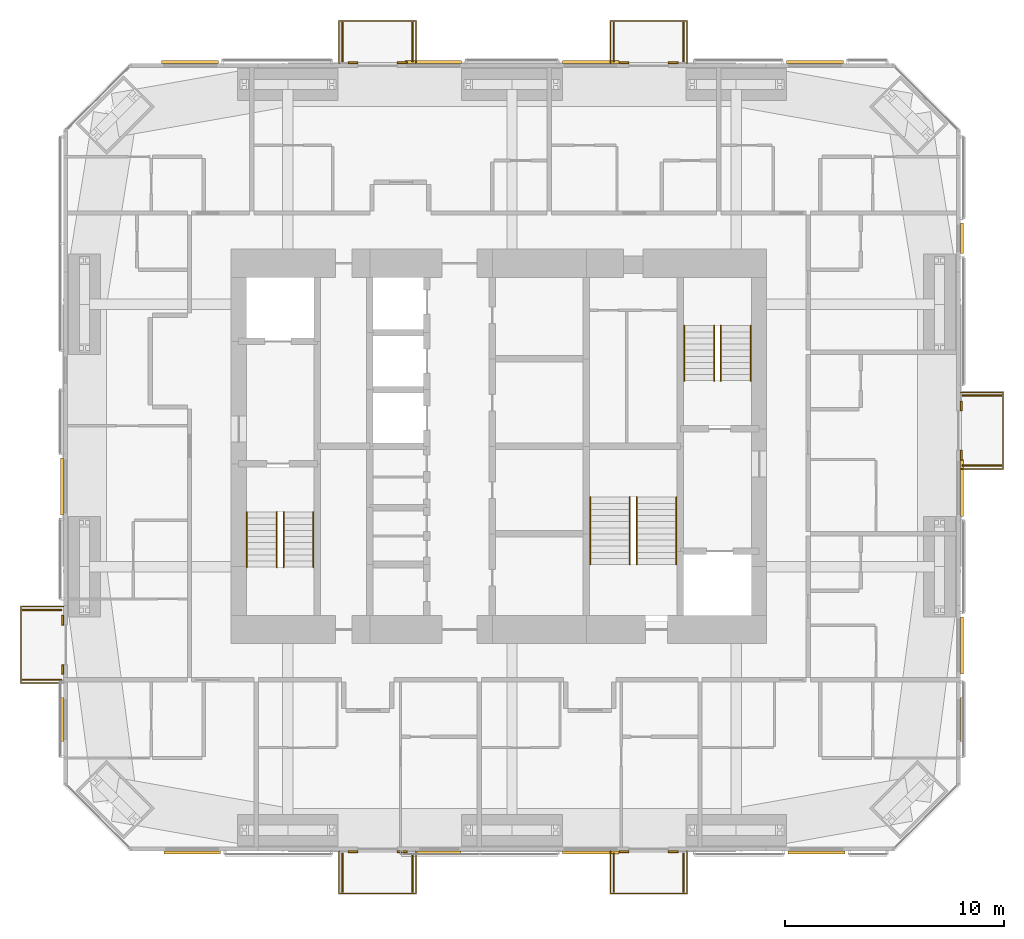
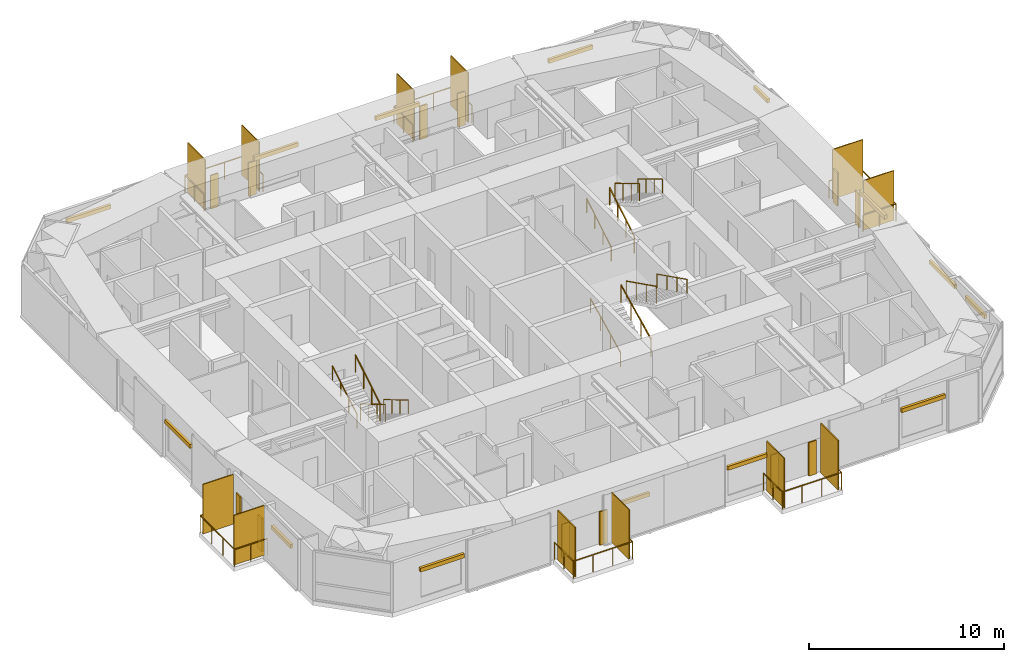
# One storey, part 22 of 22: 38 shading devices, 18 railings.
"""IFC4 building model written with IfcOpenShell, lengths in metres."""

from ifc_helpers import new_model, si_unit, direction, frame, origin, origin_2d, place, context, subcontext, project, spatial, rectangle, circle, extrude, material, layer, layer_set, constituent, constituent_set, type_object, element, save


model = new_model("IFC4")

# Units and contexts
model_context = context("Model", 3, precision=1e-05, world=origin(), true_north=direction((0.0, 1.0)))
body_context = subcontext(model_context, "Body", "Model", "MODEL_VIEW")
ifc_project = project(units=[si_unit("LENGTHUNIT", "METRE"), si_unit("AREAUNIT", "SQUARE_METRE"), si_unit("VOLUMEUNIT", "CUBIC_METRE"), si_unit("PLANEANGLEUNIT", "RADIAN"), si_unit("MASSUNIT", "GRAM", prefix="KILO")], contexts=[model_context])

# Site, building, storey
site_placement = place(None, origin())
site = spatial("IfcSite", under=ifc_project, at=site_placement, CompositionType="ELEMENT")
building_placement = place(site_placement, origin())
building = spatial("IfcBuilding", under=site, at=building_placement, Name="Jalousie Tower", CompositionType="ELEMENT")
storey_placement = place(building_placement, frame((0.0, 0.0, 154.35009765625)))
storey = spatial("IfcBuildingStorey", under=building, at=storey_placement, Name="L41", CompositionType="ELEMENT", Elevation=154.35009765625)

# Shading devices
ifc_material_1 = material(Name="Aluminium impact-rated louvred storm shutter", Category="aluminium")
shading_device_type_1 = type_object("IfcShadingDeviceType", Name="BI-FOLD STORM SHUTTER 900x2100", PredefinedType="SHUTTER", material=ifc_material_1)
for number, where, z_axis, x_axis, name in (
    (1, (25.22509765625, -0.0400390625, -0.000244140625), (0.0, 0.0, 1.0), (1.0, 0.0, 0.0), "Balcony storm shutter L41"),
    (2, (27.47509765625, -0.0400390625, -0.000244140625), (0.0, 0.0, 1.0), (1.0, 0.0, 0.0), "Balcony storm shutter L41"),
    (3, (37.625, -0.0400390625, -0.000244140625), (0.0, 0.0, 1.0), (1.0, 0.0, 0.0), "Balcony storm shutter L41"),
    (4, (39.875, -0.0400390625, -0.000244140625), (0.0, 0.0, 1.0), (1.0, 0.0, 0.0), "Balcony storm shutter L41"),
    (5, (53.0400390625, 18.10009765625, -0.000244140625), (0.0, 0.0, 1.0), (0.0, 1.0, 0.0), "Balcony storm shutter L41"),
    (6, (53.0400390625, 20.35009765625, -0.000244140625), (0.0, 0.0, 1.0), (0.0, 1.0, 0.0), "Balcony storm shutter L41"),
    (7, (39.875, 36.0400390625, -0.000244140625), (0.0, 0.0, 1.0), (-1.0, 0.0, 0.0), "Balcony storm shutter L41"),
    (8, (37.625, 36.0400390625, -0.000244140625), (0.0, 0.0, 1.0), (-1.0, 0.0, 0.0), "Balcony storm shutter L41"),
    (9, (27.47509765625, 36.0400390625, -0.000244140625), (0.0, 0.0, 1.0), (-1.0, 0.0, 0.0), "Balcony storm shutter L41"),
    (10, (25.22509765625, 36.0400390625, -0.000244140625), (0.0, 0.0, 1.0), (-1.0, 0.0, 0.0), "Balcony storm shutter L41"),
    (11, (11.9599609375, 10.550048828125, -0.000244140625), (0.0, 0.0, 1.0), (0.0, -1.0, 0.0), "Balcony storm shutter L41"),
    (12, (11.9599609375, 8.300048828125, -0.000244140625), (0.0, 0.0, 1.0), (0.0, -1.0, 0.0), "Balcony storm shutter L41"),
):
    element("IfcShadingDevice", number, at=place(storey_placement, frame(where, z_axis=z_axis, x_axis=x_axis)), inside=storey, type_object=shading_device_type_1, Name=name, PredefinedType="SHUTTER", context=body_context, shape_type="SweptSolid", body=[
        extrude(rectangle(XDim=0.449951171875, YDim=0.080078125, at=origin_2d()), origin(), (0.0, 0.0, 1.0), 2.10009765625),
    ])

# Railings
ifc_material_2 = material(Name="Powder-coated aluminium fretwork", Category="aluminium")
railing_type_1 = type_object("IfcRailingType", Name="FRETWORK BALUSTRADE 1100", PredefinedType="BALUSTRADE", material=ifc_material_2)
for number, where, name in (
    (13, (24.60009765625, 0.0, 0.0), "Balcony fretwork balustrade L41"),
    (14, (37.0, 0.0, 0.0), "Balcony fretwork balustrade L41"),
):
    element("IfcRailing", number, at=place(storey_placement, frame(where)), inside=storey, type_object=railing_type_1, Name=name, PredefinedType="BALUSTRADE", context=body_context, shape_type="SweptSolid", body=[
        extrude(rectangle(XDim=0.048095703125, YDim=0.048095703125, at=origin_2d()), frame((0.0, 0.0, 1.076171875), z_axis=(0.0, -1.0, 0.0), x_axis=(1.0, 0.0, 0.0)), (0.0, 0.0, 1.0), 1.949951171875),
        extrude(rectangle(XDim=0.048095703125, YDim=0.048095703125, at=origin_2d()), frame((0.0, -1.949951171875, 1.076171875), z_axis=(1.0, 0.0, 0.0), x_axis=(0.0, 1.0, 0.0)), (0.0, 0.0, 1.0), 3.5),
        extrude(rectangle(XDim=0.048095703125, YDim=0.048095703125, at=origin_2d()), frame((3.5, -1.949951171875, 1.076171875), z_axis=(0.0, 1.0, 0.0), x_axis=(-1.0, 0.0, 0.0)), (0.0, 0.0, 1.0), 1.949951171875),
        extrude(circle(Radius=0.02099609375, at=origin_2d()), origin(), (0.0, 0.0, 1.0), 1.052001953125),
        extrude(circle(Radius=0.02099609375, at=origin_2d()), frame((0.0, -0.97509765625, 0.0)), (0.0, 0.0, 1.0), 1.052001953125),
        extrude(circle(Radius=0.02099609375, at=origin_2d()), frame((0.0, -1.949951171875, 0.0)), (0.0, 0.0, 1.0), 1.052001953125),
        extrude(circle(Radius=0.02099609375, at=origin_2d()), frame((1.166748046875, -1.949951171875, 0.0)), (0.0, 0.0, 1.0), 1.052001953125),
        extrude(circle(Radius=0.02099609375, at=origin_2d()), frame((2.333251953125, -1.949951171875, 0.0)), (0.0, 0.0, 1.0), 1.052001953125),
        extrude(circle(Radius=0.02099609375, at=origin_2d()), frame((3.5, -1.949951171875, 0.0)), (0.0, 0.0, 1.0), 1.052001953125),
        extrude(circle(Radius=0.02099609375, at=origin_2d()), frame((3.5, -0.97509765625, 0.0)), (0.0, 0.0, 1.0), 1.052001953125),
        extrude(circle(Radius=0.02099609375, at=origin_2d()), frame((3.5, 0.0, 0.0)), (0.0, 0.0, 1.0), 1.052001953125),
    ])
railing_1_placement = place(storey_placement, frame((53.0, 17.47509765625, 0.0)))
element("IfcRailing", 15, at=railing_1_placement, inside=storey, type_object=railing_type_1, Name="Balcony fretwork balustrade L41", PredefinedType="BALUSTRADE", context=body_context, shape_type="SweptSolid", body=[
    extrude(rectangle(XDim=0.048095703125, YDim=0.048095703125, at=origin_2d()), frame((0.0, 0.0, 1.076171875), z_axis=(1.0, 0.0, 0.0), x_axis=(0.0, 1.0, 0.0)), (0.0, 0.0, 1.0), 1.949951171875),
    extrude(rectangle(XDim=0.048095703125, YDim=0.048095703125, at=origin_2d()), frame((1.949951171875, 0.0, 1.076171875), z_axis=(0.0, 1.0, 0.0), x_axis=(-1.0, 0.0, 0.0)), (0.0, 0.0, 1.0), 3.5),
    extrude(rectangle(XDim=0.048095703125, YDim=0.048095703125, at=origin_2d()), frame((1.949951171875, 3.5, 1.076171875), z_axis=(-1.0, 0.0, 0.0), x_axis=(0.0, -1.0, 0.0)), (0.0, 0.0, 1.0), 1.949951171875),
    extrude(circle(Radius=0.02099609375, at=origin_2d()), origin(), (0.0, 0.0, 1.0), 1.052001953125),
    extrude(circle(Radius=0.02099609375, at=origin_2d()), frame((0.97509765625, 0.0, 0.0)), (0.0, 0.0, 1.0), 1.052001953125),
    extrude(circle(Radius=0.02099609375, at=origin_2d()), frame((1.949951171875, 0.0, 0.0)), (0.0, 0.0, 1.0), 1.052001953125),
    extrude(circle(Radius=0.02099609375, at=origin_2d()), frame((1.949951171875, 1.166748046875, 0.0)), (0.0, 0.0, 1.0), 1.052001953125),
    extrude(circle(Radius=0.02099609375, at=origin_2d()), frame((1.949951171875, 2.333251953125, 0.0)), (0.0, 0.0, 1.0), 1.052001953125),
    extrude(circle(Radius=0.02099609375, at=origin_2d()), frame((1.949951171875, 3.5, 0.0)), (0.0, 0.0, 1.0), 1.052001953125),
    extrude(circle(Radius=0.02099609375, at=origin_2d()), frame((0.97509765625, 3.5, 0.0)), (0.0, 0.0, 1.0), 1.052001953125),
    extrude(circle(Radius=0.02099609375, at=origin_2d()), frame((0.0, 3.5, 0.0)), (0.0, 0.0, 1.0), 1.052001953125),
])
for number, where, name in (
    (16, (40.5, 36.0, 0.0), "Balcony fretwork balustrade L41"),
    (17, (28.10009765625, 36.0, 0.0), "Balcony fretwork balustrade L41"),
):
    element("IfcRailing", number, at=place(storey_placement, frame(where)), inside=storey, type_object=railing_type_1, Name=name, PredefinedType="BALUSTRADE", context=body_context, shape_type="SweptSolid", body=[
        extrude(rectangle(XDim=0.048095703125, YDim=0.048095703125, at=origin_2d()), frame((0.0, 0.0, 1.076171875), z_axis=(0.0, 1.0, 0.0), x_axis=(-1.0, 0.0, 0.0)), (0.0, 0.0, 1.0), 1.949951171875),
        extrude(rectangle(XDim=0.048095703125, YDim=0.048095703125, at=origin_2d()), frame((0.0, 1.949951171875, 1.076171875), z_axis=(-1.0, 0.0, 0.0), x_axis=(0.0, -1.0, 0.0)), (0.0, 0.0, 1.0), 3.5),
        extrude(rectangle(XDim=0.048095703125, YDim=0.048095703125, at=origin_2d()), frame((-3.5, 1.949951171875, 1.076171875), z_axis=(0.0, -1.0, 0.0), x_axis=(1.0, 0.0, 0.0)), (0.0, 0.0, 1.0), 1.949951171875),
        extrude(circle(Radius=0.02099609375, at=origin_2d()), origin(), (0.0, 0.0, 1.0), 1.052001953125),
        extrude(circle(Radius=0.02099609375, at=origin_2d()), frame((0.0, 0.97509765625, 0.0)), (0.0, 0.0, 1.0), 1.052001953125),
        extrude(circle(Radius=0.02099609375, at=origin_2d()), frame((0.0, 1.949951171875, 0.0)), (0.0, 0.0, 1.0), 1.052001953125),
        extrude(circle(Radius=0.02099609375, at=origin_2d()), frame((-1.166748046875, 1.949951171875, 0.0)), (0.0, 0.0, 1.0), 1.052001953125),
        extrude(circle(Radius=0.02099609375, at=origin_2d()), frame((-2.333251953125, 1.949951171875, 0.0)), (0.0, 0.0, 1.0), 1.052001953125),
        extrude(circle(Radius=0.02099609375, at=origin_2d()), frame((-3.5, 1.949951171875, 0.0)), (0.0, 0.0, 1.0), 1.052001953125),
        extrude(circle(Radius=0.02099609375, at=origin_2d()), frame((-3.5, 0.97509765625, 0.0)), (0.0, 0.0, 1.0), 1.052001953125),
        extrude(circle(Radius=0.02099609375, at=origin_2d()), frame((-3.5, 0.0, 0.0)), (0.0, 0.0, 1.0), 1.052001953125),
    ])
railing_2_placement = place(storey_placement, frame((12.0, 11.175048828125, 0.0)))
element("IfcRailing", 18, at=railing_2_placement, inside=storey, type_object=railing_type_1, Name="Balcony fretwork balustrade L41", PredefinedType="BALUSTRADE", context=body_context, shape_type="SweptSolid", body=[
    extrude(rectangle(XDim=0.048095703125, YDim=0.048095703125, at=origin_2d()), frame((0.0, 0.0, 1.076171875), z_axis=(-1.0, 0.0, 0.0), x_axis=(0.0, -1.0, 0.0)), (0.0, 0.0, 1.0), 1.949951171875),
    extrude(rectangle(XDim=0.048095703125, YDim=0.048095703125, at=origin_2d()), frame((-1.949951171875, 0.0, 1.076171875), z_axis=(0.0, -1.0, 0.0), x_axis=(1.0, 0.0, 0.0)), (0.0, 0.0, 1.0), 3.5),
    extrude(rectangle(XDim=0.048095703125, YDim=0.048095703125, at=origin_2d()), frame((-1.949951171875, -3.5, 1.076171875), z_axis=(1.0, 0.0, 0.0), x_axis=(0.0, 1.0, 0.0)), (0.0, 0.0, 1.0), 1.949951171875),
    extrude(circle(Radius=0.02099609375, at=origin_2d()), origin(), (0.0, 0.0, 1.0), 1.052001953125),
    extrude(circle(Radius=0.02099609375, at=origin_2d()), frame((-0.97509765625, 0.0, 0.0)), (0.0, 0.0, 1.0), 1.052001953125),
    extrude(circle(Radius=0.02099609375, at=origin_2d()), frame((-1.949951171875, 0.0, 0.0)), (0.0, 0.0, 1.0), 1.052001953125),
    extrude(circle(Radius=0.02099609375, at=origin_2d()), frame((-1.949951171875, -1.166748046875, 0.0)), (0.0, 0.0, 1.0), 1.052001953125),
    extrude(circle(Radius=0.02099609375, at=origin_2d()), frame((-1.949951171875, -2.333251953125, 0.0)), (0.0, 0.0, 1.0), 1.052001953125),
    extrude(circle(Radius=0.02099609375, at=origin_2d()), frame((-1.949951171875, -3.5, 0.0)), (0.0, 0.0, 1.0), 1.052001953125),
    extrude(circle(Radius=0.02099609375, at=origin_2d()), frame((-0.97509765625, -3.5, 0.0)), (0.0, 0.0, 1.0), 1.052001953125),
    extrude(circle(Radius=0.02099609375, at=origin_2d()), frame((0.0, -3.5, 0.0)), (0.0, 0.0, 1.0), 1.052001953125),
])

# Shading devices
ifc_material_3 = material(Name="Powder-coated aluminium louvres", Category="aluminium")
ifc_layer = layer(ifc_material_3, 0.06005859375)
ifc_layer_set = layer_set([ifc_layer], Name="Powder-coated aluminium louvres")
shading_device_type_2 = type_object("IfcShadingDeviceType", Name="JALOUSIE LOUVRE SCREEN", PredefinedType="JALOUSIE", material=ifc_layer_set)
for number, where, z_axis, x_axis, name in (
    (19, (24.75, -1.0, 0.0), (0.0, 0.0, 1.0), (1.0, 0.0, 0.0), "Jalousie louvre screen L41"),
    (20, (27.949951171875, -1.0, 0.0), (0.0, 0.0, 1.0), (1.0, 0.0, 0.0), "Jalousie louvre screen L41"),
    (21, (37.14990234375, -1.0, 0.0), (0.0, 0.0, 1.0), (1.0, 0.0, 0.0), "Jalousie louvre screen L41"),
    (22, (40.35009765625, -1.0, 0.0), (0.0, 0.0, 1.0), (1.0, 0.0, 0.0), "Jalousie louvre screen L41"),
    (23, (54.0, 17.625, 0.0), (0.0, 0.0, 1.0), (0.0, 1.0, 0.0), "Jalousie louvre screen L41"),
    (24, (54.0, 20.824951171875, 0.0), (0.0, 0.0, 1.0), (0.0, 1.0, 0.0), "Jalousie louvre screen L41"),
    (25, (40.35009765625, 37.0, 0.0), (0.0, 0.0, 1.0), (-1.0, 0.0, 0.0), "Jalousie louvre screen L41"),
    (26, (37.14990234375, 37.0, 0.0), (0.0, 0.0, 1.0), (-1.0, 0.0, 0.0), "Jalousie louvre screen L41"),
    (27, (27.949951171875, 37.0, 0.0), (0.0, 0.0, 1.0), (-1.0, 0.0, 0.0), "Jalousie louvre screen L41"),
    (28, (24.75, 37.0, 0.0), (0.0, 0.0, 1.0), (-1.0, 0.0, 0.0), "Jalousie louvre screen L41"),
    (29, (11.0, 11.02490234375, 0.0), (0.0, 0.0, 1.0), (0.0, -1.0, 0.0), "Jalousie louvre screen L41"),
    (30, (11.0, 7.824951171875, 0.0), (0.0, 0.0, 1.0), (0.0, -1.0, 0.0), "Jalousie louvre screen L41"),
):
    element("IfcShadingDevice", number, at=place(storey_placement, frame(where, z_axis=z_axis, x_axis=x_axis)), inside=storey, type_object=shading_device_type_2, Name=name, PredefinedType="JALOUSIE", context=body_context, shape_type="SweptSolid", body=[
        extrude(rectangle(XDim=0.06005859375, YDim=1.800048828125, at=origin_2d()), origin(), (0.0, 0.0, 1.0), 3.110107421875),
    ])

# Railings
ifc_material_4 = material(Name="Steel ASTM A500 Grade C", Category="steel")
ifc_constituent_1 = constituent(ifc_material_4, Name="Body")
ifc_material_5 = material(Name="Hot-dip galvanised zinc coating")
ifc_constituent_2 = constituent(ifc_material_5, Name="Finish")
ifc_constituent_set_1 = constituent_set(constituents=[ifc_constituent_1, ifc_constituent_2])
railing_type_2 = type_object("IfcRailingType", Name="STAIR GUARD 1100", PredefinedType="GUARDRAIL", material=ifc_constituent_set_1)
railing_3_placement = place(storey_placement, frame((22.054931640625, 15.49755859375, 0.16748046875)))
element("IfcRailing", 31, at=railing_3_placement, inside=storey, type_object=railing_type_2, Name="Exit stair A guard L41 flight 1", PredefinedType="GUARDRAIL", context=body_context, shape_type="SweptSolid", body=[
    extrude(rectangle(XDim=0.048095703125, YDim=0.048095703125, at=origin_2d()), frame((0.0, 0.0, 1.076171875), z_axis=(0.0, -0.858196387827, 0.513321497621), x_axis=(1.0, 0.0, 0.0)), (0.0, 0.0, 1.0), 2.9365234375),
    extrude(circle(Radius=0.02099609375, at=origin_2d()), origin(), (0.0, 0.0, 1.0), 1.052001953125),
    extrude(circle(Radius=0.02099609375, at=origin_2d()), frame((0.0, -0.840087890625, 0.50244140625)), (0.0, 0.0, 1.0), 1.052001953125),
    extrude(circle(Radius=0.02099609375, at=origin_2d()), frame((0.0, -1.679931640625, 1.0048828125)), (0.0, 0.0, 1.0), 1.052001953125),
    extrude(circle(Radius=0.02099609375, at=origin_2d()), frame((0.0, -2.52001953125, 1.50732421875)), (0.0, 0.0, 1.0), 1.052001953125),
])
railing_4_placement = place(storey_placement, frame((21.7451171875, 12.9775390625, 1.84228515625)))
element("IfcRailing", 32, at=railing_4_placement, inside=storey, type_object=railing_type_2, Name="Exit stair A guard L41 flight 2", PredefinedType="GUARDRAIL", context=body_context, shape_type="SweptSolid", body=[
    extrude(rectangle(XDim=0.048095703125, YDim=0.048095703125, at=origin_2d()), frame((0.0, 0.0, 1.076171875), z_axis=(0.0, 0.858159760407, 0.513382728203), x_axis=(-1.0, 0.0, 0.0)), (0.0, 0.0, 1.0), 2.9365234375),
    extrude(circle(Radius=0.02099609375, at=origin_2d()), origin(), (0.0, 0.0, 1.0), 1.052001953125),
    extrude(circle(Radius=0.02099609375, at=origin_2d()), frame((0.0, 0.840087890625, 0.50244140625)), (0.0, 0.0, 1.0), 1.052001953125),
    extrude(circle(Radius=0.02099609375, at=origin_2d()), frame((0.0, 1.679931640625, 1.005126953125)), (0.0, 0.0, 1.0), 1.052001953125),
    extrude(circle(Radius=0.02099609375, at=origin_2d()), frame((0.0, 2.52001953125, 1.507568359375)), (0.0, 0.0, 1.0), 1.052001953125),
])
railing_5_placement = place(storey_placement, frame((41.7451171875, 21.50244140625, 0.16748046875)))
element("IfcRailing", 33, at=railing_5_placement, inside=storey, type_object=railing_type_2, Name="Exit stair B guard L41 flight 1", PredefinedType="GUARDRAIL", context=body_context, shape_type="SweptSolid", body=[
    extrude(rectangle(XDim=0.048095703125, YDim=0.048095703125, at=origin_2d()), frame((0.0, 0.0, 1.076171875), z_axis=(0.0, 0.858196387827, 0.513321497621), x_axis=(-1.0, 0.0, 0.0)), (0.0, 0.0, 1.0), 2.9365234375),
    extrude(circle(Radius=0.02099609375, at=origin_2d()), origin(), (0.0, 0.0, 1.0), 1.052001953125),
    extrude(circle(Radius=0.02099609375, at=origin_2d()), frame((0.0, 0.840087890625, 0.50244140625)), (0.0, 0.0, 1.0), 1.052001953125),
    extrude(circle(Radius=0.02099609375, at=origin_2d()), frame((0.0, 1.679931640625, 1.0048828125)), (0.0, 0.0, 1.0), 1.052001953125),
    extrude(circle(Radius=0.02099609375, at=origin_2d()), frame((0.0, 2.52001953125, 1.50732421875)), (0.0, 0.0, 1.0), 1.052001953125),
])
railing_6_placement = place(storey_placement, frame((42.054931640625, 24.0224609375, 1.84228515625)))
element("IfcRailing", 34, at=railing_6_placement, inside=storey, type_object=railing_type_2, Name="Exit stair B guard L41 flight 2", PredefinedType="GUARDRAIL", context=body_context, shape_type="SweptSolid", body=[
    extrude(rectangle(XDim=0.048095703125, YDim=0.048095703125, at=origin_2d()), frame((0.0, 0.0, 1.076171875), z_axis=(0.0, -0.858159760407, 0.513382728203), x_axis=(1.0, 0.0, 0.0)), (0.0, 0.0, 1.0), 2.9365234375),
    extrude(circle(Radius=0.02099609375, at=origin_2d()), origin(), (0.0, 0.0, 1.0), 1.052001953125),
    extrude(circle(Radius=0.02099609375, at=origin_2d()), frame((0.0, -0.840087890625, 0.50244140625)), (0.0, 0.0, 1.0), 1.052001953125),
    extrude(circle(Radius=0.02099609375, at=origin_2d()), frame((0.0, -1.679931640625, 1.005126953125)), (0.0, 0.0, 1.0), 1.052001953125),
    extrude(circle(Radius=0.02099609375, at=origin_2d()), frame((0.0, -2.52001953125, 1.507568359375)), (0.0, 0.0, 1.0), 1.052001953125),
])
railing_7_placement = place(storey_placement, frame((37.89501953125, 13.097412109375, 0.139404296875)))
element("IfcRailing", 35, at=railing_7_placement, inside=storey, type_object=railing_type_2, Name="Exit stair C guard L41 flight 1", PredefinedType="GUARDRAIL", context=body_context, shape_type="SweptSolid", body=[
    extrude(rectangle(XDim=0.048095703125, YDim=0.048095703125, at=origin_2d()), frame((0.0, 0.0, 1.076171875), z_axis=(0.0, 0.894965676997, 0.446134998624), x_axis=(-1.0, 0.0, 0.0)), (0.0, 0.0, 1.0), 3.441650390625),
    extrude(circle(Radius=0.02099609375, at=origin_2d()), origin(), (0.0, 0.0, 1.0), 1.052001953125),
    extrude(circle(Radius=0.02099609375, at=origin_2d()), frame((0.0, 1.026611328125, 0.51171875)), (0.0, 0.0, 1.0), 1.052001953125),
    extrude(circle(Radius=0.02099609375, at=origin_2d()), frame((0.0, 2.053466796875, 1.023681640625)), (0.0, 0.0, 1.0), 1.052001953125),
    extrude(circle(Radius=0.02099609375, at=origin_2d()), frame((0.0, 3.080078125, 1.535400390625)), (0.0, 0.0, 1.0), 1.052001953125),
])
railing_8_placement = place(storey_placement, frame((38.205078125, 16.177490234375, 1.814453125)))
element("IfcRailing", 36, at=railing_8_placement, inside=storey, type_object=railing_type_2, Name="Exit stair C guard L41 flight 2", PredefinedType="GUARDRAIL", context=body_context, shape_type="SweptSolid", body=[
    extrude(rectangle(XDim=0.048095703125, YDim=0.048095703125, at=origin_2d()), frame((0.0, 0.0, 1.076171875), z_axis=(0.0, -0.894965676997, 0.446134998624), x_axis=(1.0, 0.0, 0.0)), (0.0, 0.0, 1.0), 3.441650390625),
    extrude(circle(Radius=0.02099609375, at=origin_2d()), origin(), (0.0, 0.0, 1.0), 1.052001953125),
    extrude(circle(Radius=0.02099609375, at=origin_2d()), frame((0.0, -1.026611328125, 0.51171875)), (0.0, 0.0, 1.0), 1.052001953125),
    extrude(circle(Radius=0.02099609375, at=origin_2d()), frame((0.0, -2.053466796875, 1.023681640625)), (0.0, 0.0, 1.0), 1.052001953125),
    extrude(circle(Radius=0.02099609375, at=origin_2d()), frame((0.0, -3.080078125, 1.535400390625)), (0.0, 0.0, 1.0), 1.052001953125),
])
ifc_material_6 = material(Name="Steel ASTM A500 Grade C", Category="steel")
ifc_constituent_3 = constituent(ifc_material_6, Name="Body")
ifc_material_7 = material(Name="Hot-dip galvanised zinc coating")
ifc_constituent_4 = constituent(ifc_material_7, Name="Finish")
ifc_constituent_set_2 = constituent_set(constituents=[ifc_constituent_3, ifc_constituent_4])
railing_type_3 = type_object("IfcRailingType", Name="STAIR HANDRAIL 900", PredefinedType="HANDRAIL", material=ifc_constituent_set_2)
railing_9_placement = place(storey_placement, frame((23.419921875, 15.49755859375, 0.16748046875)))
element("IfcRailing", 37, at=railing_9_placement, inside=storey, type_object=railing_type_3, Name="Exit stair A handrail L41 flight 1", PredefinedType="HANDRAIL", context=body_context, shape_type="SweptSolid", body=[
    extrude(circle(Radius=0.02392578125, at=origin_2d()), frame((0.0, 0.0, 0.8759765625), z_axis=(0.0, -0.858196387827, 0.513321497621), x_axis=(1.0, 0.0, 0.0)), (0.0, 0.0, 1.0), 2.9365234375),
    extrude(circle(Radius=0.02099609375, at=origin_2d()), origin(), (0.0, 0.0, 1.0), 0.851806640625),
    extrude(circle(Radius=0.02099609375, at=origin_2d()), frame((0.0, -0.840087890625, 0.50244140625)), (0.0, 0.0, 1.0), 0.851806640625),
    extrude(circle(Radius=0.02099609375, at=origin_2d()), frame((0.0, -1.679931640625, 1.0048828125)), (0.0, 0.0, 1.0), 0.851806640625),
    extrude(circle(Radius=0.02099609375, at=origin_2d()), frame((0.0, -2.52001953125, 1.50732421875)), (0.0, 0.0, 1.0), 0.851806640625),
])
railing_10_placement = place(storey_placement, frame((20.3798828125, 12.9775390625, 1.84228515625)))
element("IfcRailing", 38, at=railing_10_placement, inside=storey, type_object=railing_type_3, Name="Exit stair A handrail L41 flight 2", PredefinedType="HANDRAIL", context=body_context, shape_type="SweptSolid", body=[
    extrude(circle(Radius=0.02392578125, at=origin_2d()), frame((0.0, 0.0, 0.8759765625), z_axis=(0.0, 0.858159760407, 0.513382728203), x_axis=(-1.0, 0.0, 0.0)), (0.0, 0.0, 1.0), 2.9365234375),
    extrude(circle(Radius=0.02099609375, at=origin_2d()), origin(), (0.0, 0.0, 1.0), 0.851806640625),
    extrude(circle(Radius=0.02099609375, at=origin_2d()), frame((0.0, 0.840087890625, 0.50244140625)), (0.0, 0.0, 1.0), 0.851806640625),
    extrude(circle(Radius=0.02099609375, at=origin_2d()), frame((0.0, 1.679931640625, 1.005126953125)), (0.0, 0.0, 1.0), 0.851806640625),
    extrude(circle(Radius=0.02099609375, at=origin_2d()), frame((0.0, 2.52001953125, 1.507568359375)), (0.0, 0.0, 1.0), 0.851806640625),
])
railing_11_placement = place(storey_placement, frame((40.3798828125, 21.50244140625, 0.16748046875)))
element("IfcRailing", 39, at=railing_11_placement, inside=storey, type_object=railing_type_3, Name="Exit stair B handrail L41 flight 1", PredefinedType="HANDRAIL", context=body_context, shape_type="SweptSolid", body=[
    extrude(circle(Radius=0.02392578125, at=origin_2d()), frame((0.0, 0.0, 0.8759765625), z_axis=(0.0, 0.858196387827, 0.513321497621), x_axis=(-1.0, 0.0, 0.0)), (0.0, 0.0, 1.0), 2.9365234375),
    extrude(circle(Radius=0.02099609375, at=origin_2d()), origin(), (0.0, 0.0, 1.0), 0.851806640625),
    extrude(circle(Radius=0.02099609375, at=origin_2d()), frame((0.0, 0.840087890625, 0.50244140625)), (0.0, 0.0, 1.0), 0.851806640625),
    extrude(circle(Radius=0.02099609375, at=origin_2d()), frame((0.0, 1.679931640625, 1.0048828125)), (0.0, 0.0, 1.0), 0.851806640625),
    extrude(circle(Radius=0.02099609375, at=origin_2d()), frame((0.0, 2.52001953125, 1.50732421875)), (0.0, 0.0, 1.0), 0.851806640625),
])
railing_12_placement = place(storey_placement, frame((43.419921875, 24.0224609375, 1.84228515625)))
element("IfcRailing", 40, at=railing_12_placement, inside=storey, type_object=railing_type_3, Name="Exit stair B handrail L41 flight 2", PredefinedType="HANDRAIL", context=body_context, shape_type="SweptSolid", body=[
    extrude(circle(Radius=0.02392578125, at=origin_2d()), frame((0.0, 0.0, 0.8759765625), z_axis=(0.0, -0.858159760407, 0.513382728203), x_axis=(1.0, 0.0, 0.0)), (0.0, 0.0, 1.0), 2.9365234375),
    extrude(circle(Radius=0.02099609375, at=origin_2d()), origin(), (0.0, 0.0, 1.0), 0.851806640625),
    extrude(circle(Radius=0.02099609375, at=origin_2d()), frame((0.0, -0.840087890625, 0.50244140625)), (0.0, 0.0, 1.0), 0.851806640625),
    extrude(circle(Radius=0.02099609375, at=origin_2d()), frame((0.0, -1.679931640625, 1.005126953125)), (0.0, 0.0, 1.0), 0.851806640625),
    extrude(circle(Radius=0.02099609375, at=origin_2d()), frame((0.0, -2.52001953125, 1.507568359375)), (0.0, 0.0, 1.0), 0.851806640625),
])
railing_13_placement = place(storey_placement, frame((36.080078125, 13.097412109375, 0.139404296875)))
element("IfcRailing", 41, at=railing_13_placement, inside=storey, type_object=railing_type_3, Name="Exit stair C handrail L41 flight 1", PredefinedType="HANDRAIL", context=body_context, shape_type="SweptSolid", body=[
    extrude(circle(Radius=0.02392578125, at=origin_2d()), frame((0.0, 0.0, 0.8759765625), z_axis=(0.0, 0.894965676997, 0.446134998624), x_axis=(-1.0, 0.0, 0.0)), (0.0, 0.0, 1.0), 3.441650390625),
    extrude(circle(Radius=0.02099609375, at=origin_2d()), origin(), (0.0, 0.0, 1.0), 0.851806640625),
    extrude(circle(Radius=0.02099609375, at=origin_2d()), frame((0.0, 1.026611328125, 0.51171875)), (0.0, 0.0, 1.0), 0.851806640625),
    extrude(circle(Radius=0.02099609375, at=origin_2d()), frame((0.0, 2.053466796875, 1.023681640625)), (0.0, 0.0, 1.0), 0.851806640625),
    extrude(circle(Radius=0.02099609375, at=origin_2d()), frame((0.0, 3.080078125, 1.535400390625)), (0.0, 0.0, 1.0), 0.851806640625),
])
railing_14_placement = place(storey_placement, frame((40.02001953125, 16.177490234375, 1.814453125)))
element("IfcRailing", 42, at=railing_14_placement, inside=storey, type_object=railing_type_3, Name="Exit stair C handrail L41 flight 2", PredefinedType="HANDRAIL", context=body_context, shape_type="SweptSolid", body=[
    extrude(circle(Radius=0.02392578125, at=origin_2d()), frame((0.0, 0.0, 0.8759765625), z_axis=(0.0, -0.894965676997, 0.446134998624), x_axis=(1.0, 0.0, 0.0)), (0.0, 0.0, 1.0), 3.441650390625),
    extrude(circle(Radius=0.02099609375, at=origin_2d()), origin(), (0.0, 0.0, 1.0), 0.851806640625),
    extrude(circle(Radius=0.02099609375, at=origin_2d()), frame((0.0, -1.026611328125, 0.51171875)), (0.0, 0.0, 1.0), 0.851806640625),
    extrude(circle(Radius=0.02099609375, at=origin_2d()), frame((0.0, -2.053466796875, 1.023681640625)), (0.0, 0.0, 1.0), 0.851806640625),
    extrude(circle(Radius=0.02099609375, at=origin_2d()), frame((0.0, -3.080078125, 1.535400390625)), (0.0, 0.0, 1.0), 0.851806640625),
])

# Shading devices
ifc_material_8 = material(Name="Aluminium roller storm shutter", Category="aluminium")
shading_device_type_3 = type_object("IfcShadingDeviceType", Name="STORM SHUTTER HOUSING", PredefinedType="SHUTTER", material=ifc_material_8)
shading_device_1_placement = place(storey_placement, frame((17.87548828125, -0.074951171875, 2.099853515625), z_axis=(0.0, 0.0, 1.0), x_axis=(1.0, 0.0, 0.0)))
element("IfcShadingDevice", 43, at=shading_device_1_placement, inside=storey, type_object=shading_device_type_3, Name="Storm shutter L41", PredefinedType="SHUTTER", context=body_context, shape_type="SweptSolid", body=[
    extrude(rectangle(XDim=2.60009765625, YDim=0.14990234375, at=origin_2d()), origin(), (0.0, 0.0, 1.0), 0.25),
])
shading_device_2_placement = place(storey_placement, frame((29.175048828125, -0.074951171875, 2.099853515625), z_axis=(0.0, 0.0, 1.0), x_axis=(1.0, 0.0, 0.0)))
element("IfcShadingDevice", 44, at=shading_device_2_placement, inside=storey, type_object=shading_device_type_3, Name="Storm shutter L41", PredefinedType="SHUTTER", context=body_context, shape_type="SweptSolid", body=[
    extrude(rectangle(XDim=2.0, YDim=0.14990234375, at=origin_2d()), origin(), (0.0, 0.0, 1.0), 0.25),
])
for number, where, z_axis, x_axis, name in (
    (45, (36.10009765625, -0.074951171875, 2.099853515625), (0.0, 0.0, 1.0), (1.0, 0.0, 0.0), "Storm shutter L41"),
    (46, (46.421630859375, -0.074951171875, 2.099853515625), (0.0, 0.0, 1.0), (1.0, 0.0, 0.0), "Storm shutter L41"),
):
    element("IfcShadingDevice", number, at=place(storey_placement, frame(where, z_axis=z_axis, x_axis=x_axis)), inside=storey, type_object=shading_device_type_3, Name=name, PredefinedType="SHUTTER", context=body_context, shape_type="SweptSolid", body=[
        extrude(rectangle(XDim=2.60009765625, YDim=0.14990234375, at=origin_2d()), origin(), (0.0, 0.0, 1.0), 0.25),
    ])
shading_device_3_placement = place(storey_placement, frame((53.074951171875, 6.01318359375, 2.099853515625), z_axis=(0.0, 0.0, 1.0), x_axis=(0.0, 1.0, 0.0)))
element("IfcShadingDevice", 47, at=shading_device_3_placement, inside=storey, type_object=shading_device_type_3, Name="Storm shutter L41", PredefinedType="SHUTTER", context=body_context, shape_type="SweptSolid", body=[
    extrude(rectangle(XDim=2.0, YDim=0.14990234375, at=origin_2d()), origin(), (0.0, 0.0, 1.0), 0.25),
])
for number, where, z_axis, x_axis, name in (
    (48, (53.074951171875, 9.39990234375, 2.099853515625), (0.0, 0.0, 1.0), (0.0, 1.0, 0.0), "Storm shutter L41"),
    (49, (53.074951171875, 16.60009765625, 2.099853515625), (0.0, 0.0, 1.0), (0.0, 1.0, 0.0), "Storm shutter L41"),
):
    element("IfcShadingDevice", number, at=place(storey_placement, frame(where, z_axis=z_axis, x_axis=x_axis)), inside=storey, type_object=shading_device_type_3, Name=name, PredefinedType="SHUTTER", context=body_context, shape_type="SweptSolid", body=[
        extrude(rectangle(XDim=2.60009765625, YDim=0.14990234375, at=origin_2d()), origin(), (0.0, 0.0, 1.0), 0.25),
    ])
shading_device_4_placement = place(storey_placement, frame((53.074951171875, 28.0244140625, 2.099853515625), z_axis=(0.0, 0.0, 1.0), x_axis=(0.0, 1.0, 0.0)))
element("IfcShadingDevice", 50, at=shading_device_4_placement, inside=storey, type_object=shading_device_type_3, Name="Storm shutter L41", PredefinedType="SHUTTER", context=body_context, shape_type="SweptSolid", body=[
    extrude(rectangle(XDim=1.39990234375, YDim=0.14990234375, at=origin_2d()), origin(), (0.0, 0.0, 1.0), 0.25),
])
for number, where, z_axis, x_axis, name in (
    (51, (46.359375, 36.074951171875, 2.099853515625), (0.0, 0.0, 1.0), (-1.0, 0.0, 0.0), "Storm shutter L41"),
    (52, (36.10009765625, 36.074951171875, 2.099853515625), (0.0, 0.0, 1.0), (-1.0, 0.0, 0.0), "Storm shutter L41"),
    (53, (28.89990234375, 36.074951171875, 2.099853515625), (0.0, 0.0, 1.0), (-1.0, 0.0, 0.0), "Storm shutter L41"),
    (54, (17.775634765625, 36.074951171875, 2.099853515625), (0.0, 0.0, 1.0), (-1.0, 0.0, 0.0), "Storm shutter L41"),
    (55, (11.925048828125, 16.666015625, 2.099853515625), (0.0, 0.0, 1.0), (0.0, -1.0, 0.0), "Storm shutter L41"),
):
    element("IfcShadingDevice", number, at=place(storey_placement, frame(where, z_axis=z_axis, x_axis=x_axis)), inside=storey, type_object=shading_device_type_3, Name=name, PredefinedType="SHUTTER", context=body_context, shape_type="SweptSolid", body=[
        extrude(rectangle(XDim=2.60009765625, YDim=0.14990234375, at=origin_2d()), origin(), (0.0, 0.0, 1.0), 0.25),
    ])
shading_device_5_placement = place(storey_placement, frame((11.925048828125, 6.01318359375, 2.099853515625), z_axis=(0.0, 0.0, 1.0), x_axis=(0.0, -1.0, 0.0)))
element("IfcShadingDevice", 56, at=shading_device_5_placement, inside=storey, type_object=shading_device_type_3, Name="Storm shutter L41", PredefinedType="SHUTTER", context=body_context, shape_type="SweptSolid", body=[
    extrude(rectangle(XDim=2.0, YDim=0.14990234375, at=origin_2d()), origin(), (0.0, 0.0, 1.0), 0.25),
])

save(model, "model.ifc")
